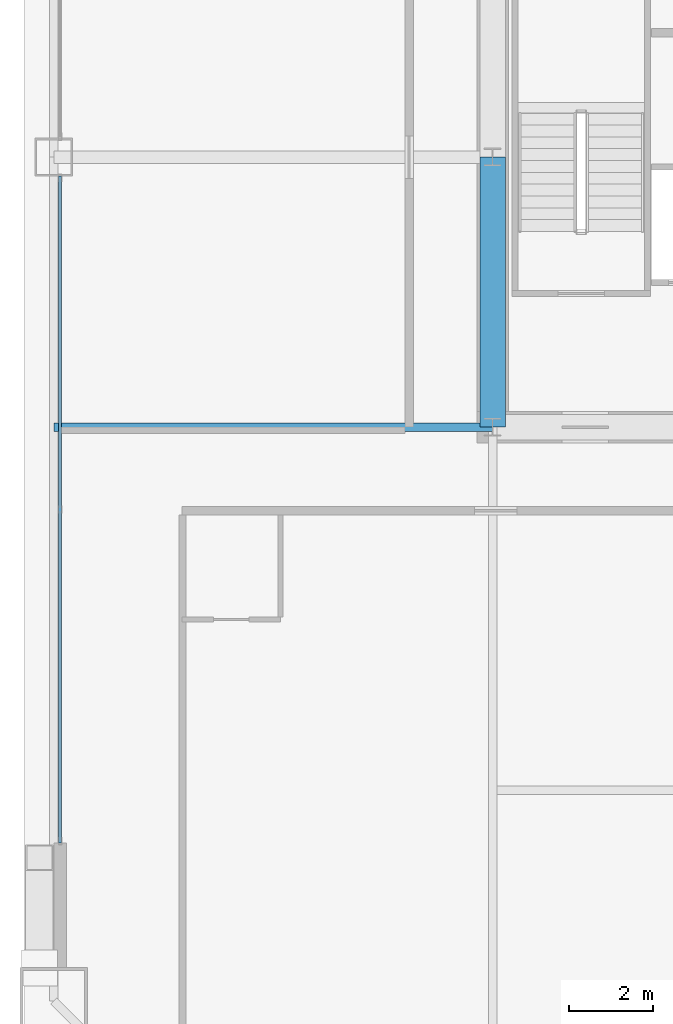
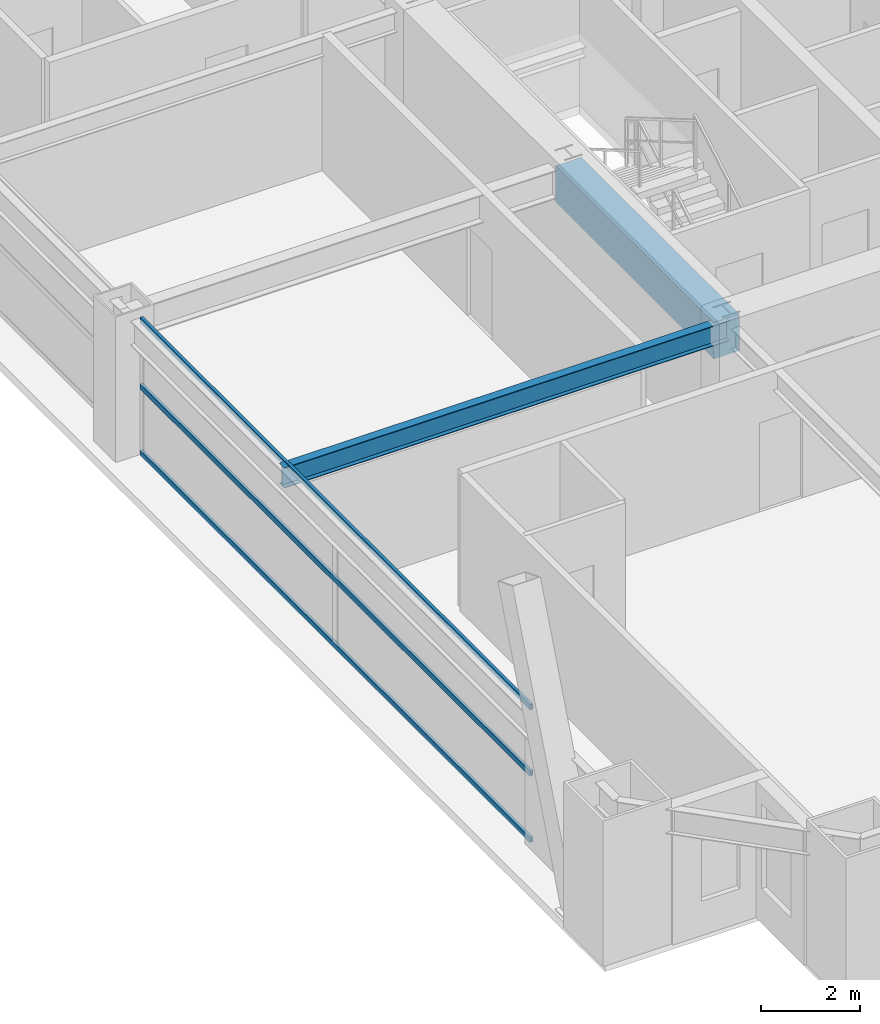
# One storey, part 11 of 41: 3 members, 2 beams, 1 element without a shape of its own.
"""IFC4 building model written with IfcOpenShell, lengths in metres."""

from ifc_helpers import new_model, si_unit, direction, frame, origin, origin_2d, place, context, subcontext, project, spatial, rectangle, hollow_rectangle, i_section, extrude, source, transform, mapped, material, layer, layer_set, material_profile, profile_set, type_object, element, aggregate, save


model = new_model("IFC4")

# Units and contexts
model_context = context("Model", 3, precision=1e-05, world=origin(), true_north=direction((0.0, 1.0)))
body_context = subcontext(model_context, "Body", "Model", "MODEL_VIEW")
ifc_project = project(units=[si_unit("LENGTHUNIT", "METRE"), si_unit("AREAUNIT", "SQUARE_METRE"), si_unit("VOLUMEUNIT", "CUBIC_METRE"), si_unit("PLANEANGLEUNIT", "RADIAN"), si_unit("MASSUNIT", "GRAM", prefix="KILO"), si_unit("THERMODYNAMICTEMPERATUREUNIT", "KELVIN"), si_unit("POWERUNIT", "WATT")], contexts=[model_context])

# Site, building, storey
site_placement = place(None, origin())
site = spatial("IfcSite", under=ifc_project, at=site_placement, CompositionType="ELEMENT")
building_placement = place(site_placement, origin())
building = spatial("IfcBuilding", under=site, at=building_placement, Name="Yuzanri Waterfront Tower", CompositionType="ELEMENT")
storey_placement = place(building_placement, frame((0.0, 0.0, 122.60009765625)))
storey = spatial("IfcBuildingStorey", under=building, at=storey_placement, Name="L32", CompositionType="ELEMENT", Elevation=122.60009765625)

# Beams
ifc_material_1 = material(Name="Concrete C60", Category="concrete")
ifc_material_profile_1 = material_profile(ifc_material_1, rectangle(XDim=0.60009765625, YDim=0.89990234375, at=origin_2d()), Name="RC 600x900")
ifc_profile_set_1 = profile_set([ifc_material_profile_1], Name="Concrete C60")
beam_type_1 = type_object("IfcBeamType", Name="Core Coupling Lintel Concrete C60 600x900", PredefinedType="LINTEL", material=ifc_profile_set_1)
shared_shape_1 = source(origin(), body_context, "Body", "SweptSolid", [
    extrude(rectangle(XDim=0.60009765625, YDim=0.89990234375, at=origin_2d()), origin(), (0.0, 0.0, 1.0), 6.400146484375),
])
beam_1_placement = place(storey_placement, frame((23.800048828125, 19.39990234375, 2.929931640625), z_axis=(0.0, 1.0, 0.0), x_axis=(-1.0, 0.0, 0.0)))
element("IfcBeam", 1, at=beam_1_placement, inside=storey, type_object=beam_type_1, Name="L32 Core Tie Beam CW1", PredefinedType="LINTEL", context=body_context, shape_type="MappedRepresentation", body=[
    mapped(shared_shape_1, transform((0.0, 0.0, 0.0), scale=1.0)),
])
ifc_material_2 = material(Name="Steel Q355B", Category="steel")
ifc_material_profile_2 = material_profile(ifc_material_2, i_section(OverallWidth=0.199951171875, OverallDepth=0.5, WebThickness=0.010009765625, FlangeThickness=0.01611328125, at=origin_2d()), Name="HN 500x200x10x16")
ifc_profile_set_2 = profile_set([ifc_material_profile_2], Name="Steel Q355B")
beam_type_2 = type_object("IfcBeamType", Name="Secondary Floor Beam Q355B HN 500x200", PredefinedType="BEAM", material=ifc_profile_set_2)
shared_shape_2 = source(origin(), body_context, "Body", "SweptSolid", [
    extrude(i_section(OverallWidth=0.199951171875, OverallDepth=0.5, WebThickness=0.010009765625, FlangeThickness=0.01611328125, at=origin_2d()), origin(), (0.0, 0.0, 1.0), 10.400146484375),
])
beam_2_placement = place(storey_placement, frame((23.800048828125, 19.39990234375, 3.1298828125), z_axis=(-1.0, 0.0, 0.0), x_axis=(0.0, -1.0, 0.0)))
element("IfcBeam", 2, at=beam_2_placement, inside=storey, type_object=beam_type_2, Name="L32 West-South Core Line Beam", PredefinedType="BEAM", context=body_context, shape_type="MappedRepresentation", body=[
    mapped(shared_shape_2, transform((0.0, 0.0, 0.0), scale=1.0)),
])

# Curtain wall, members
ifc_material_3 = material(Name="Anodized Architectural Bronze", Category="metal")
ifc_layer = layer(ifc_material_3, 0.159912109375)
ifc_layer_set = layer_set([ifc_layer], Name="Anodized Architectural Bronze")
curtain_wall_type = type_object("IfcCurtainWallType", Name="Anodized Bronze Hotel Upper-Tier Solar-Control Unitized Curtain Wall 7800", PredefinedType="NOTDEFINED", material=ifc_layer_set)
curtain_wall_placement = place(storey_placement, origin())
curtain_wall = element("IfcCurtainWall", 3, at=curtain_wall_placement, inside=storey, type_object=curtain_wall_type, Name="L32 Curtain Wall CW-L32-WL", PredefinedType="NOTDEFINED")
ifc_material_4 = material(Name="Anodized Architectural Bronze", Category="metal")
ifc_material_profile_3 = material_profile(ifc_material_4, hollow_rectangle(XDim=0.070068359375, YDim=0.135009765625, WallThickness=0.00341796875, at=origin_2d()), Name="CWT 70x135")
ifc_profile_set_3 = profile_set([ifc_material_profile_3], Name="Anodized Architectural Bronze")
member_type = type_object("IfcMemberType", Name="Anodized Bronze Standard Curtain-Wall Transom 70x135", PredefinedType="USERDEFINED", material=ifc_profile_set_3)
shared_shape_3 = source(origin(), body_context, "Body", "SweptSolid", [
    extrude(hollow_rectangle(XDim=0.070068359375, YDim=0.135009765625, WallThickness=0.00341796875, at=origin_2d()), origin(), (0.0, 0.0, 1.0), 15.800048828125),
])
member_1_placement = place(storey_placement, frame((13.550048828125, 9.550048828125, 0.0498046875), z_axis=(0.0, 1.0, 0.0), x_axis=(-1.0, 0.0, 0.0)))
member_1 = element("IfcMember", 4, at=member_1_placement, type_object=member_type, Name="CW-L32-WL Transom 1", ObjectType="TRANSOM", PredefinedType="USERDEFINED", context=body_context, shape_type="MappedRepresentation", body=[
    mapped(shared_shape_3, transform((0.0, 0.0, 0.0), scale=1.0)),
])
member_2_placement = place(storey_placement, frame((13.550048828125, 9.550048828125, 1.68994140625), z_axis=(0.0, 1.0, 0.0), x_axis=(-1.0, 0.0, 0.0)))
member_2 = element("IfcMember", 5, at=member_2_placement, type_object=member_type, Name="CW-L32-WL Transom 2", ObjectType="TRANSOM", PredefinedType="USERDEFINED", context=body_context, shape_type="MappedRepresentation", body=[
    mapped(shared_shape_3, transform((0.0, 0.0, 0.0), scale=1.0)),
])
member_3_placement = place(storey_placement, frame((13.550048828125, 9.550048828125, 3.329833984375), z_axis=(0.0, 1.0, 0.0), x_axis=(-1.0, 0.0, 0.0)))
member_3 = element("IfcMember", 6, at=member_3_placement, type_object=member_type, Name="CW-L32-WL Transom 3", ObjectType="TRANSOM", PredefinedType="USERDEFINED", context=body_context, shape_type="MappedRepresentation", body=[
    mapped(shared_shape_3, transform((0.0, 0.0, 0.0), scale=1.0)),
])
aggregate(curtain_wall, [member_1, member_2, member_3])

save(model, "model.ifc")
